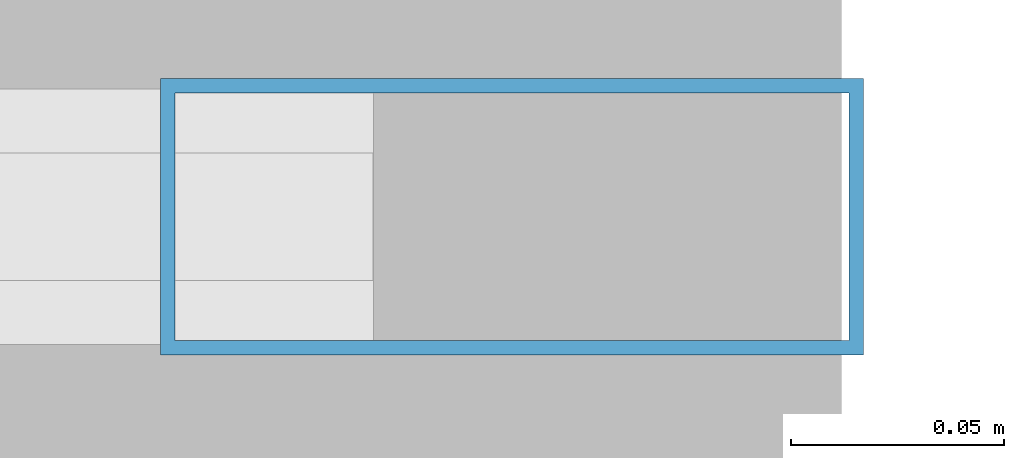
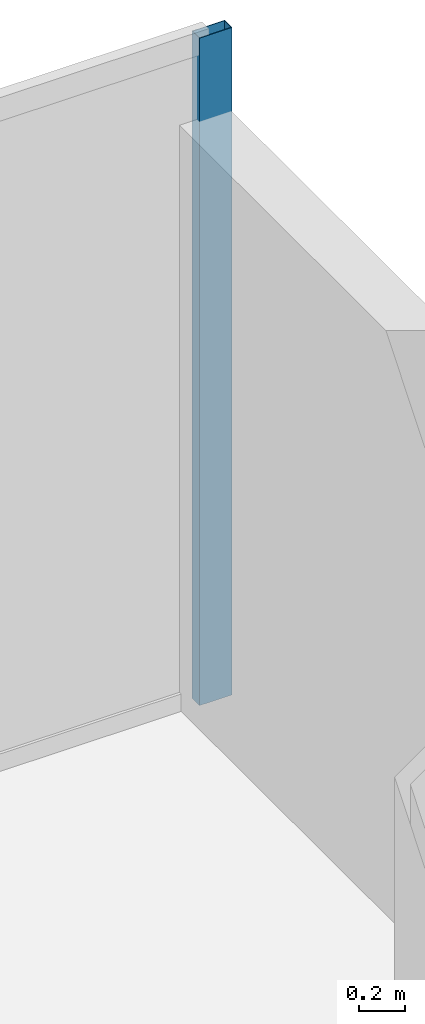
# One storey, part 22 of 30: 1 member, 1 element without a shape of its own.
"""IFC4 building model written with IfcOpenShell, lengths in metres."""

from ifc_helpers import new_model, si_unit, direction, frame, origin, origin_2d, place, context, subcontext, project, spatial, hollow_rectangle, extrude, source, transform, mapped, material, layer, layer_set, material_profile, profile_set, type_object, type_shapes, element, aggregate, save


model = new_model("IFC4")

# Units and contexts
model_context = context("Model", 3, precision=1e-05, world=origin(), true_north=direction((0.0, 1.0)))
body_context = subcontext(model_context, "Body", "Model", "MODEL_VIEW")
ifc_project = project(units=[si_unit("LENGTHUNIT", "METRE"), si_unit("AREAUNIT", "SQUARE_METRE"), si_unit("VOLUMEUNIT", "CUBIC_METRE"), si_unit("PLANEANGLEUNIT", "RADIAN"), si_unit("MASSUNIT", "GRAM", prefix="KILO")], contexts=[model_context])

# Site, building, storey
site_placement = place(None, origin())
site = spatial("IfcSite", under=ifc_project, at=site_placement, CompositionType="ELEMENT")
building_placement = place(site_placement, origin())
building = spatial("IfcBuilding", under=site, at=building_placement, Name="Varnel Quay Broadcast Tower", CompositionType="ELEMENT")
storey_placement = place(building_placement, frame((0.0, 0.0, 168.60009765625)))
storey = spatial("IfcBuildingStorey", under=building, at=storey_placement, Name="L41", CompositionType="ELEMENT", Elevation=168.60009765625)

# Curtain wall, member
ifc_material = material(Name="Anodised Bronze Aluminium 6063-T6", Category="aluminium")
ifc_layer = layer(ifc_material, 0.18994140625, Name="Anodised Bronze Aluminium 6063-T6")
ifc_layer_set = layer_set([ifc_layer], Name="Anodised Bronze Aluminium 6063-T6")
curtain_wall_type = type_object("IfcCurtainWallType", Name="CW_UpperTower", PredefinedType="NOTDEFINED", material=ifc_layer_set)
curtain_wall_placement = place(storey_placement, origin())
curtain_wall = element("IfcCurtainWall", 1, at=curtain_wall_placement, inside=storey, type_object=curtain_wall_type, Name="L41 NE Wing Curtain Wall", PredefinedType="NOTDEFINED")
ifc_material_profile = material_profile(ifc_material, hollow_rectangle(XDim=0.06494140625, YDim=0.1650390625, WallThickness=0.00341796875, at=origin_2d()), Name="ALU65X165X3.5")
ifc_profile_set = profile_set([ifc_material_profile], Name="Anodised Bronze Aluminium 6063-T6")
member_type = type_object("IfcMemberType", Name="Mull_CWS-03", PredefinedType="MULLION", material=ifc_profile_set)
shared_shape = source(origin(), body_context, "Body", "SweptSolid", [
    extrude(hollow_rectangle(XDim=0.06494140625, YDim=0.1650390625, WallThickness=0.00341796875, at=origin_2d()), origin(), (0.0, 0.0, 1.0), 3.5498046875),
])
type_shapes(member_type, [shared_shape])
member_placement = place(storey_placement, frame((57.447509765625, 46.64990234375, 0.0), z_axis=(0.0, 0.0, 1.0), x_axis=(0.0, 1.0, 0.0)))
member = element("IfcMember", 2, at=member_placement, type_object=member_type, Name="CWS-03 mullion 2", PredefinedType="MULLION", context=body_context, shape_type="MappedRepresentation", body=[
    mapped(shared_shape, transform((0.0, 0.0, 0.0), x_axis=(1.0, 0.0, 0.0), y_axis=(0.0, 1.0, 0.0), z_axis=(0.0, 0.0, 1.0), scale=1.0)),
])
aggregate(curtain_wall, [member])

save(model, "model.ifc")
